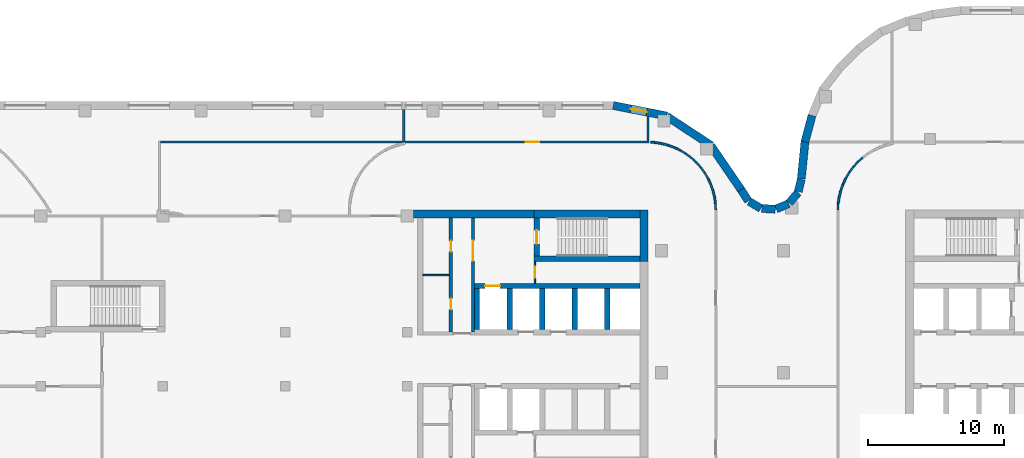
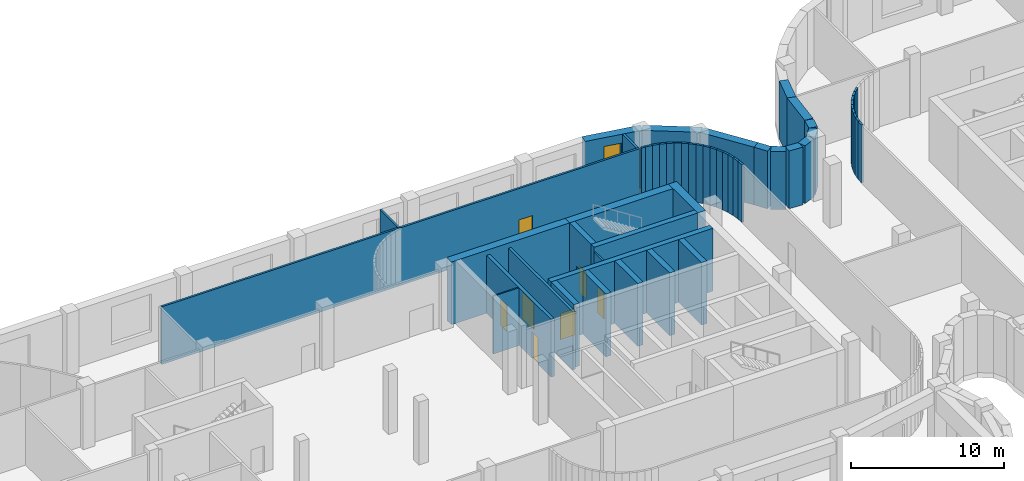
# One storey, part 18 of 25: 54 walls, 7 doors, 1 window, 8 openings.
"""IFC4 building model written with IfcOpenShell, lengths in metres."""

from ifc_helpers import new_model, si_unit, direction, frame, frame_2d, origin, place, context, subcontext, project, spatial, rectangle, extrude, material, layer, layer_set, type_object, element, fill, save


model = new_model("IFC4")

# Units and contexts
model_context = context("Model", 3, precision=1e-05, world=origin(), true_north=direction((0.0, 1.0)))
body_context = subcontext(model_context, "Body", "Model", "MODEL_VIEW")
ifc_project = project(units=[si_unit("LENGTHUNIT", "METRE"), si_unit("AREAUNIT", "SQUARE_METRE"), si_unit("VOLUMEUNIT", "CUBIC_METRE"), si_unit("PLANEANGLEUNIT", "RADIAN"), si_unit("MASSUNIT", "GRAM", prefix="KILO")], contexts=[model_context])

# Site, building, storey
site_placement = place(None, origin())
site = spatial("IfcSite", under=ifc_project, at=site_placement, CompositionType="ELEMENT")
building_placement = place(site_placement, origin())
building = spatial("IfcBuilding", under=site, at=building_placement, Name="Skarvind Civic Tower", CompositionType="ELEMENT")
storey_placement = place(building_placement, frame((0.0, 0.0, 7.5)))
storey = spatial("IfcBuildingStorey", under=building, at=storey_placement, Name="L01", CompositionType="ELEMENT", Elevation=7.5)

# Wall, opening, door
ifc_material_1 = material(Name="Fire-rated masonry partition", Category="masonry")
ifc_layer_1 = layer(ifc_material_1, 0.199951171875)
ifc_layer_set_1 = layer_set([ifc_layer_1], Name="Core enclosure wall 200")
wall_type_1 = type_object("IfcWallType", Name="Core enclosure wall 200", PredefinedType="PARTITIONING", material=ifc_layer_set_1)
wall_1_placement = place(storey_placement, frame((95.10009765625, 130.0, 0.0), z_axis=(0.0, 0.0, 1.0), x_axis=(0.0, 1.0, 0.0)))
wall_1 = element("IfcWall", 1, at=wall_1_placement, inside=storey, type_object=wall_type_1, Name="Core wall C1", PredefinedType="PARTITIONING", context=body_context, shape_type="SweptSolid", body=[
    extrude(rectangle(XDim=8.39990234375, YDim=0.199951171875, at=frame_2d((4.199951171875, 0.0))), origin(), (0.0, 0.0, 1.0), 4.60009765625),
])
opening_1_placement = place(wall_1_placement, frame((5.25, 0.0, 0.0)))
opening_1 = element("IfcOpeningElement", 2, at=opening_1_placement, cuts=wall_1, Name="Opening D-L01-C1-12", PredefinedType="OPENING", context=body_context, shape_type="SweptSolid", body=[
    extrude(rectangle(XDim=1.5, YDim=2.10009765625, at=frame_2d((0.75, 1.050048828125))), frame((0.0, 0.10986328125, 0.0), z_axis=(0.0, -1.0, 0.0), x_axis=(1.0, 0.0, 0.0)), (0.0, 0.0, 1.0), 0.219970703125),
])
ifc_material_2 = material(Name="Fire-rated steel door", Category="steel")
door_type_1 = type_object("IfcDoorType", Name="Fire door 1500", OperationType="NOTDEFINED", PredefinedType="DOOR", material=ifc_material_2)
door_1_placement = place(opening_1_placement, origin())
door_1 = element("IfcDoor", 3, at=door_1_placement, inside=storey, type_object=door_type_1, Name="Fire door", OperationType="DOUBLE_DOOR_SINGLE_SWING", OverallHeight=2.10009765625, OverallWidth=1.5, PredefinedType="DOOR", context=body_context, shape_type="SweptSolid", body=[
    extrude(rectangle(XDim=1.5, YDim=2.10009765625, at=frame_2d((0.75, 1.050048828125))), frame((0.0, 0.02490234375, 0.0), z_axis=(0.0, -1.0, 0.0), x_axis=(1.0, 0.0, 0.0)), (0.0, 0.0, 1.0), 0.050048828125),
])
fill(opening_1, door_1)

# Walls
ifc_material_3 = material(Name="Fire-rated plasterboard partition")
ifc_layer_2 = layer(ifc_material_3, 0.10009765625)
ifc_layer_set_2 = layer_set([ifc_layer_2], Name="Core partition wall 100")
wall_type_2 = type_object("IfcWallType", Name="Core partition wall 100", PredefinedType="PARTITIONING", material=ifc_layer_set_2)
wall_2_placement = place(storey_placement, frame((91.39990234375, 134.199951171875, 0.0), z_axis=(0.0, 0.0, 1.0), x_axis=(1.0, 0.0, 0.0)))
element("IfcWall", 4, at=wall_2_placement, inside=storey, type_object=wall_type_2, Name="Core wall C1", PredefinedType="PARTITIONING", context=body_context, shape_type="SweptSolid", body=[
    extrude(rectangle(XDim=1.9501953125, YDim=0.10009765625, at=frame_2d((0.97509765625, 0.0))), origin(), (0.0, 0.0, 1.0), 4.60009765625),
])
ifc_material_4 = material(Name="Concrete C80", Category="concrete")
ifc_layer_3 = layer(ifc_material_4, 0.39990234375)
ifc_layer_set_3 = layer_set([ifc_layer_3], Name="Core wall 400 C80")
wall_type_3 = type_object("IfcWallType", Name="Core wall 400 C80", PredefinedType="SHEAR", material=ifc_layer_set_3)
wall_3_placement = place(storey_placement, frame((107.39990234375, 135.39990234375, 0.0), z_axis=(0.0, 0.0, 1.0), x_axis=(-1.0, 0.0, 0.0)))
element("IfcWall", 5, at=wall_3_placement, inside=storey, type_object=wall_type_3, Name="Core wall C1 south stair inner L01", PredefinedType="SHEAR", context=body_context, shape_type="SweptSolid", body=[
    extrude(rectangle(XDim=7.7998046875, YDim=0.39990234375, at=frame_2d((3.89990234375, 0.0))), origin(), (0.0, 0.0, 1.0), 5.0),
])

# Wall, opening, door
wall_4_placement = place(storey_placement, frame((99.800048828125, 138.39990234375, 0.0), z_axis=(0.0, 0.0, 1.0), x_axis=(0.0, -1.0, 0.0)))
wall_4 = element("IfcWall", 6, at=wall_4_placement, inside=storey, type_object=wall_type_3, Name="Core wall C1 south stair end L01", PredefinedType="SHEAR", context=body_context, shape_type="SweptSolid", body=[
    extrude(rectangle(XDim=2.7998046875, YDim=0.39990234375, at=frame_2d((1.39990234375, 0.0))), origin(), (0.0, 0.0, 1.0), 5.0),
])
opening_2_placement = place(wall_4_placement, frame((0.89990234375, 0.0, 0.0)))
opening_2 = element("IfcOpeningElement", 7, at=opening_2_placement, cuts=wall_4, Name="Opening D-L01-C1-13", PredefinedType="OPENING", context=body_context, shape_type="SweptSolid", body=[
    extrude(rectangle(XDim=1.0, YDim=2.10009765625, at=frame_2d((0.5, 1.050048828125))), frame((0.0, 0.2099609375, 0.0), z_axis=(0.0, -1.0, 0.0), x_axis=(1.0, 0.0, 0.0)), (0.0, 0.0, 1.0), 0.419921875),
])
door_type_2 = type_object("IfcDoorType", Name="Fire door 1000", OperationType="NOTDEFINED", PredefinedType="DOOR", material=ifc_material_2)
door_2_placement = place(opening_2_placement, origin())
door_2 = element("IfcDoor", 8, at=door_2_placement, inside=storey, type_object=door_type_2, Name="Fire door", OperationType="SINGLE_SWING_RIGHT", OverallHeight=2.10009765625, OverallWidth=1.0, PredefinedType="DOOR", context=body_context, shape_type="SweptSolid", body=[
    extrude(rectangle(XDim=1.0, YDim=2.10009765625, at=frame_2d((0.5, 1.050048828125))), frame((0.0, 0.02490234375, 0.0), z_axis=(0.0, -1.0, 0.0), x_axis=(1.0, 0.0, 0.0)), (0.0, 0.0, 1.0), 0.050048828125),
])
fill(opening_2, door_2)

wall_5_placement = place(storey_placement, frame((107.39990234375, 133.39990234375, 0.0), z_axis=(0.0, 0.0, 1.0), x_axis=(-1.0, 0.0, 0.0)))
wall_5 = element("IfcWall", 9, at=wall_5_placement, inside=storey, type_object=wall_type_3, Name="Core wall C1 south lift row back L01", PredefinedType="SHEAR", context=body_context, shape_type="SweptSolid", body=[
    extrude(rectangle(XDim=12.199951171875, YDim=0.39990234375, at=frame_2d((6.10009765625, 0.0))), origin(), (0.0, 0.0, 1.0), 5.0),
])
opening_3_placement = place(wall_5_placement, frame((10.300048828125, 0.0, 0.0)))
opening_3 = element("IfcOpeningElement", 10, at=opening_3_placement, cuts=wall_5, Name="Opening LD03110", PredefinedType="OPENING", context=body_context, shape_type="SweptSolid", body=[
    extrude(rectangle(XDim=1.10009765625, YDim=2.10009765625, at=frame_2d((0.550048828125, 1.050048828125))), frame((0.0, 0.2099609375, 0.0), z_axis=(0.0, -1.0, 0.0), x_axis=(1.0, 0.0, 0.0)), (0.0, 0.0, 1.0), 0.419921875),
])
ifc_material_5 = material(Name="Stainless steel landing door", Category="steel")
door_type_3 = type_object("IfcDoorType", Name="Lift landing door 1100", OperationType="DOUBLE_DOOR_SLIDING", PredefinedType="DOOR", material=ifc_material_5)
door_3_placement = place(opening_3_placement, origin())
door_3 = element("IfcDoor", 11, at=door_3_placement, inside=storey, type_object=door_type_3, Name="Lift landing door", OperationType="DOUBLE_DOOR_SLIDING", OverallHeight=2.10009765625, OverallWidth=1.10009765625, PredefinedType="DOOR", context=body_context, shape_type="SweptSolid", body=[
    extrude(rectangle(XDim=1.10009765625, YDim=2.10009765625, at=frame_2d((0.550048828125, 1.050048828125))), frame((0.0, 0.02490234375, 0.0), z_axis=(0.0, -1.0, 0.0), x_axis=(1.0, 0.0, 0.0)), (0.0, 0.0, 1.0), 0.050048828125),
])
fill(opening_3, door_3)

# Walls
for number, where, z_axis, x_axis, name in (
    (12, (105.0, 133.199951171875, 0.0), (0.0, 0.0, 1.0), (0.0, -1.0, 0.0), "Core wall C1 south lift row division 1 L01"),
    (13, (102.60009765625, 133.199951171875, 0.0), (0.0, 0.0, 1.0), (0.0, -1.0, 0.0), "Core wall C1 south lift row division 2 L01"),
    (14, (100.199951171875, 133.199951171875, 0.0), (0.0, 0.0, 1.0), (0.0, -1.0, 0.0), "Core wall C1 south lift row division 3 L01"),
    (15, (97.800048828125, 133.199951171875, 0.0), (0.0, 0.0, 1.0), (0.0, -1.0, 0.0), "Core wall C1 south lift row division 4 L01"),
    (16, (95.39990234375, 133.199951171875, 0.0), (0.0, 0.0, 1.0), (0.0, -1.0, 0.0), "Core wall C1 south lift row division 5 L01"),
):
    element("IfcWall", number, at=place(storey_placement, frame(where, z_axis=z_axis, x_axis=x_axis)), inside=storey, type_object=wall_type_3, Name=name, PredefinedType="SHEAR", context=body_context, shape_type="SweptSolid", body=[
        extrude(rectangle(XDim=3.0, YDim=0.39990234375, at=frame_2d((1.5, 0.0))), origin(), (0.0, 0.0, 1.0), 5.0),
    ])
ifc_layer_4 = layer(ifc_material_4, 0.60009765625)
ifc_layer_set_4 = layer_set([ifc_layer_4], Name="Core wall 600 C80")
wall_type_4 = type_object("IfcWallType", Name="Core wall 600 C80", PredefinedType="SHEAR", material=ifc_layer_set_4)
wall_6_placement = place(storey_placement, frame((107.699951171875, 139.0, 0.0), z_axis=(0.0, 0.0, 1.0), x_axis=(0.0, -1.0, 0.0)))
element("IfcWall", 17, at=wall_6_placement, inside=storey, type_object=wall_type_4, Name="Core wall C1 tip at the south stair L01", PredefinedType="SHEAR", context=body_context, shape_type="SweptSolid", body=[
    extrude(rectangle(XDim=3.800048828125, YDim=0.60009765625, at=frame_2d((1.89990234375, 0.0))), origin(), (0.0, 0.0, 1.0), 5.0),
])
wall_7_placement = place(storey_placement, frame((107.39990234375, 138.699951171875, 0.0), z_axis=(0.0, 0.0, 1.0), x_axis=(-1.0, 0.0, 0.0)))
element("IfcWall", 18, at=wall_7_placement, inside=storey, type_object=wall_type_4, Name="Core wall C1 south side at the stair L01", PredefinedType="SHEAR", context=body_context, shape_type="SweptSolid", body=[
    extrude(rectangle(XDim=7.7998046875, YDim=0.60009765625, at=frame_2d((3.89990234375, 0.0))), origin(), (0.0, 0.0, 1.0), 5.0),
])
wall_8_placement = place(storey_placement, frame((99.60009765625, 138.699951171875, 0.0), z_axis=(0.0, 0.0, 1.0), x_axis=(-1.0, 0.0, 0.0)))
element("IfcWall", 19, at=wall_8_placement, inside=storey, type_object=wall_type_4, Name="Core wall C1 south side L01", PredefinedType="SHEAR", context=body_context, shape_type="SweptSolid", body=[
    extrude(rectangle(XDim=8.900146484375, YDim=0.60009765625, at=frame_2d((4.4501953125, 0.0))), origin(), (0.0, 0.0, 1.0), 5.0),
])

# Wall, opening, door
ifc_material_6 = material(Name="Plasterboard partition on steel studs", Category="steel")
ifc_layer_5 = layer(ifc_material_6, 0.14990234375)
ifc_layer_set_5 = layer_set([ifc_layer_5], Name="PARTITION 150")
wall_type_5 = type_object("IfcWallType", Name="PARTITION 150", PredefinedType="PARTITIONING", material=ifc_layer_set_5)
wall_9_placement = place(storey_placement, frame((72.074951171875, 144.0, 0.0), z_axis=(0.0, 0.0, 1.0), x_axis=(1.0, 0.0, 0.0)))
wall_9 = element("IfcWall", 20, at=wall_9_placement, inside=storey, type_object=wall_type_5, Name="Podium partition L01 123", PredefinedType="PARTITIONING", context=body_context, shape_type="SweptSolid", body=[
    extrude(rectangle(XDim=36.0, YDim=0.14990234375, at=frame_2d((18.0, 0.0))), origin(), (0.0, 0.0, 1.0), 4.60009765625),
])
opening_4_placement = place(wall_9_placement, frame((26.925048828125, 0.0, 0.0)))
opening_4 = element("IfcOpeningElement", 21, at=opening_4_placement, cuts=wall_9, Name="Opening L01-D225", PredefinedType="OPENING", context=body_context, shape_type="SweptSolid", body=[
    extrude(rectangle(XDim=1.0, YDim=2.10009765625, at=frame_2d((0.5, 1.050048828125))), frame((0.0, 0.0849609375, 0.0), z_axis=(0.0, -1.0, 0.0), x_axis=(1.0, 0.0, 0.0)), (0.0, 0.0, 1.0), 0.169921875),
])
ifc_material_7 = material(Name="Timber veneer door leaf", Category="wood")
door_type_4 = type_object("IfcDoorType", Name="DOOR 1000X2100 TIMBER", OperationType="NOTDEFINED", PredefinedType="DOOR", material=ifc_material_7)
door_4_placement = place(opening_4_placement, origin())
door_4 = element("IfcDoor", 22, at=door_4_placement, inside=storey, type_object=door_type_4, Name="DOOR DOOR", OperationType="SINGLE_SWING_LEFT", OverallHeight=2.10009765625, OverallWidth=1.0, PredefinedType="DOOR", context=body_context, shape_type="SweptSolid", body=[
    extrude(rectangle(XDim=1.0, YDim=2.10009765625, at=frame_2d((0.5, 1.050048828125))), frame((0.0, 0.02490234375, 0.0), z_axis=(0.0, -1.0, 0.0), x_axis=(1.0, 0.0, 0.0)), (0.0, 0.0, 1.0), 0.050048828125),
])
fill(opening_4, door_4)

# Walls
wall_10_placement = place(storey_placement, frame((90.0, 143.9951171875, 0.0), z_axis=(0.0, 0.0, 1.0), x_axis=(0.0, 1.0, 0.0)))
element("IfcWall", 23, at=wall_10_placement, inside=storey, type_object=wall_type_5, Name="Podium partition L01 159", PredefinedType="PARTITIONING", context=body_context, shape_type="SweptSolid", body=[
    extrude(rectangle(XDim=2.40478515625, YDim=0.14990234375, at=frame_2d((1.202392578125, 0.0))), origin(), (0.0, 0.0, 1.0), 4.60009765625),
])
wall_11_placement = place(storey_placement, frame((108.0, 144.074951171875, 0.0), z_axis=(0.0, 0.0, 1.0), x_axis=(0.0, 1.0, 0.0)))
element("IfcWall", 24, at=wall_11_placement, inside=storey, type_object=wall_type_5, Name="Podium partition L01 165", PredefinedType="PARTITIONING", context=body_context, shape_type="SweptSolid", body=[
    extrude(rectangle(XDim=1.822998046875, YDim=0.14990234375, at=frame_2d((0.91162109375, 0.0))), origin(), (0.0, 0.0, 1.0), 4.60009765625),
])
wall_12_placement = place(storey_placement, frame((108.214111328125, 143.989990234375, 0.0), z_axis=(0.0, 0.0, 1.0), x_axis=(0.99876534507, -0.049676810357, 0.0)))
element("IfcWall", 25, at=wall_12_placement, inside=storey, type_object=wall_type_5, Name="Podium partition L01 166", PredefinedType="PARTITIONING", context=body_context, shape_type="SweptSolid", body=[
    extrude(rectangle(XDim=0.280029296875, YDim=0.14990234375, at=frame_2d((0.14013671875, 0.0))), origin(), (0.0, 0.0, 1.0), 4.60009765625),
])
wall_13_placement = place(storey_placement, frame((108.486083984375, 143.97705078125, 0.0), z_axis=(0.0, 0.0, 1.0), x_axis=(0.988925572052, -0.148412307247, 0.0)))
element("IfcWall", 26, at=wall_13_placement, inside=storey, type_object=wall_type_5, Name="Podium partition L01 168", PredefinedType="PARTITIONING", context=body_context, shape_type="SweptSolid", body=[
    extrude(rectangle(XDim=0.49853515625, YDim=0.14990234375, at=frame_2d((0.249267578125, 0.0))), origin(), (0.0, 0.0, 1.0), 4.60009765625),
])
wall_14_placement = place(storey_placement, frame((108.970947265625, 143.905029296875, 0.0), z_axis=(0.0, 0.0, 1.0), x_axis=(0.970113715952, -0.242650732785, 0.0)))
element("IfcWall", 27, at=wall_14_placement, inside=storey, type_object=wall_type_5, Name="Podium partition L01 170", PredefinedType="PARTITIONING", context=body_context, shape_type="SweptSolid", body=[
    extrude(rectangle(XDim=0.4990234375, YDim=0.14990234375, at=frame_2d((0.24951171875, 0.0))), origin(), (0.0, 0.0, 1.0), 4.60009765625),
])
for number, where, z_axis, x_axis, name in (
    (28, (109.447021484375, 143.785888671875, 0.0), (0.0, 0.0, 1.0), (0.941442168887, -0.3371744988, 0.0), "Podium partition L01 172"),
    (29, (109.909912109375, 143.62109375, 0.0), (0.0, 0.0, 1.0), (0.903827641978, -0.427896709028, 0.0), "Podium partition L01 174"),
):
    element("IfcWall", number, at=place(storey_placement, frame(where, z_axis=z_axis, x_axis=x_axis)), inside=storey, type_object=wall_type_5, Name=name, PredefinedType="PARTITIONING", context=body_context, shape_type="SweptSolid", body=[
        extrude(rectangle(XDim=0.498046875, YDim=0.14990234375, at=frame_2d((0.2490234375, 0.0))), origin(), (0.0, 0.0, 1.0), 4.60009765625),
    ])
wall_15_placement = place(storey_placement, frame((110.35400390625, 143.412109375, 0.0), z_axis=(0.0, 0.0, 1.0), x_axis=(0.85671397893, -0.515791778052, 0.0)))
element("IfcWall", 30, at=wall_15_placement, inside=storey, type_object=wall_type_5, Name="Podium partition L01 176", PredefinedType="PARTITIONING", context=body_context, shape_type="SweptSolid", body=[
    extrude(rectangle(XDim=0.49853515625, YDim=0.14990234375, at=frame_2d((0.249267578125, 0.0))), origin(), (0.0, 0.0, 1.0), 4.60009765625),
])
wall_16_placement = place(storey_placement, frame((110.77490234375, 143.158935546875, 0.0), z_axis=(0.0, 0.0, 1.0), x_axis=(0.80404358372, -0.594570362092, 0.0)))
element("IfcWall", 31, at=wall_16_placement, inside=storey, type_object=wall_type_5, Name="Podium partition L01 178", PredefinedType="PARTITIONING", context=body_context, shape_type="SweptSolid", body=[
    extrude(rectangle(XDim=0.49755859375, YDim=0.14990234375, at=frame_2d((0.248779296875, 0.0))), origin(), (0.0, 0.0, 1.0), 4.60009765625),
])
for number, where, z_axis, x_axis, name in (
    (32, (111.1689453125, 142.866943359375, 0.0), (0.0, 0.0, 1.0), (0.742416880587, -0.66993818776, 0.0), "Podium partition L01 180"),
    (33, (111.532958984375, 142.5390625, 0.0), (0.0, 0.0, 1.0), (0.66993818776, -0.742416880587, 0.0), "Podium partition L01 182"),
):
    element("IfcWall", number, at=place(storey_placement, frame(where, z_axis=z_axis, x_axis=x_axis)), inside=storey, type_object=wall_type_5, Name=name, PredefinedType="PARTITIONING", context=body_context, shape_type="SweptSolid", body=[
        extrude(rectangle(XDim=0.49853515625, YDim=0.14990234375, at=frame_2d((0.249267578125, 0.0))), origin(), (0.0, 0.0, 1.0), 4.60009765625),
    ])
wall_17_placement = place(storey_placement, frame((111.863037109375, 142.175048828125, 0.0), z_axis=(0.0, 0.0, 1.0), x_axis=(0.594570362092, -0.80404358372, 0.0)))
element("IfcWall", 34, at=wall_17_placement, inside=storey, type_object=wall_type_5, Name="Podium partition L01 184", PredefinedType="PARTITIONING", context=body_context, shape_type="SweptSolid", body=[
    extrude(rectangle(XDim=0.49755859375, YDim=0.14990234375, at=frame_2d((0.248779296875, 0.0))), origin(), (0.0, 0.0, 1.0), 4.60009765625),
])
wall_18_placement = place(storey_placement, frame((112.155029296875, 141.781005859375, 0.0), z_axis=(0.0, 0.0, 1.0), x_axis=(0.515791778052, -0.85671397893, 0.0)))
element("IfcWall", 35, at=wall_18_placement, inside=storey, type_object=wall_type_5, Name="Podium partition L01 186", PredefinedType="PARTITIONING", context=body_context, shape_type="SweptSolid", body=[
    extrude(rectangle(XDim=0.49853515625, YDim=0.14990234375, at=frame_2d((0.249267578125, 0.0))), origin(), (0.0, 0.0, 1.0), 4.60009765625),
])
for number, where, z_axis, x_axis, name in (
    (36, (112.407958984375, 141.360107421875, 0.0), (0.0, 0.0, 1.0), (0.427896709028, -0.903827641978, 0.0), "Podium partition L01 188"),
    (37, (112.617919921875, 140.916015625, 0.0), (0.0, 0.0, 1.0), (0.3371744988, -0.941442168887, 0.0), "Podium partition L01 190"),
):
    element("IfcWall", number, at=place(storey_placement, frame(where, z_axis=z_axis, x_axis=x_axis)), inside=storey, type_object=wall_type_5, Name=name, PredefinedType="PARTITIONING", context=body_context, shape_type="SweptSolid", body=[
        extrude(rectangle(XDim=0.498046875, YDim=0.14990234375, at=frame_2d((0.2490234375, 0.0))), origin(), (0.0, 0.0, 1.0), 4.60009765625),
    ])
wall_19_placement = place(storey_placement, frame((112.783935546875, 140.455078125, 0.0), z_axis=(0.0, 0.0, 1.0), x_axis=(0.242650732785, -0.970113715952, 0.0)))
element("IfcWall", 38, at=wall_19_placement, inside=storey, type_object=wall_type_5, Name="Podium partition L01 192", PredefinedType="PARTITIONING", context=body_context, shape_type="SweptSolid", body=[
    extrude(rectangle(XDim=0.4990234375, YDim=0.14990234375, at=frame_2d((0.24951171875, 0.0))), origin(), (0.0, 0.0, 1.0), 4.60009765625),
])
wall_20_placement = place(storey_placement, frame((112.903076171875, 139.97900390625, 0.0), z_axis=(0.0, 0.0, 1.0), x_axis=(0.148412307247, -0.988925572052, 0.0)))
element("IfcWall", 39, at=wall_20_placement, inside=storey, type_object=wall_type_5, Name="Podium partition L01 194", PredefinedType="PARTITIONING", context=body_context, shape_type="SweptSolid", body=[
    extrude(rectangle(XDim=0.49853515625, YDim=0.14990234375, at=frame_2d((0.249267578125, 0.0))), origin(), (0.0, 0.0, 1.0), 4.60009765625),
])
for number, where, z_axis, x_axis, name in (
    (40, (112.97607421875, 139.493896484375, 0.0), (0.0, 0.0, 1.0), (0.048196018647, -0.998837896651, 0.0), "Podium partition L01 196"),
    (41, (122.0, 138.998046875, 0.0), (0.0, 0.0, 1.0), (0.048196018647, 0.998837896651, 0.0), "Podium partition L01 203"),
):
    element("IfcWall", number, at=place(storey_placement, frame(where, z_axis=z_axis, x_axis=x_axis)), inside=storey, type_object=wall_type_5, Name=name, PredefinedType="PARTITIONING", context=body_context, shape_type="SweptSolid", body=[
        extrude(rectangle(XDim=0.496337890625, YDim=0.14990234375, at=frame_2d((0.248046875, 0.0))), origin(), (0.0, 0.0, 1.0), 4.60009765625),
    ])
wall_21_placement = place(storey_placement, frame((122.02294921875, 139.486083984375, 0.0), z_axis=(0.0, 0.0, 1.0), x_axis=(0.148412307247, 0.988925572052, 0.0)))
element("IfcWall", 42, at=wall_21_placement, inside=storey, type_object=wall_type_5, Name="Podium partition L01 205", PredefinedType="PARTITIONING", context=body_context, shape_type="SweptSolid", body=[
    extrude(rectangle(XDim=0.49853515625, YDim=0.14990234375, at=frame_2d((0.249267578125, 0.0))), origin(), (0.0, 0.0, 1.0), 4.60009765625),
])
wall_22_placement = place(storey_placement, frame((122.094970703125, 139.970947265625, 0.0), z_axis=(0.0, 0.0, 1.0), x_axis=(0.242650732785, 0.970113715952, 0.0)))
element("IfcWall", 43, at=wall_22_placement, inside=storey, type_object=wall_type_5, Name="Podium partition L01 207", PredefinedType="PARTITIONING", context=body_context, shape_type="SweptSolid", body=[
    extrude(rectangle(XDim=0.4990234375, YDim=0.14990234375, at=frame_2d((0.24951171875, 0.0))), origin(), (0.0, 0.0, 1.0), 4.60009765625),
])
for number, where, z_axis, x_axis, name in (
    (44, (122.214111328125, 140.447021484375, 0.0), (0.0, 0.0, 1.0), (0.3371744988, 0.941442168887, 0.0), "Podium partition L01 209"),
    (45, (122.37890625, 140.909912109375, 0.0), (0.0, 0.0, 1.0), (0.427896709028, 0.903827641978, 0.0), "Podium partition L01 211"),
):
    element("IfcWall", number, at=place(storey_placement, frame(where, z_axis=z_axis, x_axis=x_axis)), inside=storey, type_object=wall_type_5, Name=name, PredefinedType="PARTITIONING", context=body_context, shape_type="SweptSolid", body=[
        extrude(rectangle(XDim=0.498046875, YDim=0.14990234375, at=frame_2d((0.2490234375, 0.0))), origin(), (0.0, 0.0, 1.0), 4.60009765625),
    ])
wall_23_placement = place(storey_placement, frame((122.587890625, 141.35400390625, 0.0), z_axis=(0.0, 0.0, 1.0), x_axis=(0.515791778052, 0.85671397893, 0.0)))
element("IfcWall", 46, at=wall_23_placement, inside=storey, type_object=wall_type_5, Name="Podium partition L01 213", PredefinedType="PARTITIONING", context=body_context, shape_type="SweptSolid", body=[
    extrude(rectangle(XDim=0.49853515625, YDim=0.14990234375, at=frame_2d((0.249267578125, 0.0))), origin(), (0.0, 0.0, 1.0), 4.60009765625),
])
wall_24_placement = place(storey_placement, frame((122.841064453125, 141.77490234375, 0.0), z_axis=(0.0, 0.0, 1.0), x_axis=(0.594570362092, 0.80404358372, 0.0)))
element("IfcWall", 47, at=wall_24_placement, inside=storey, type_object=wall_type_5, Name="Podium partition L01 215", PredefinedType="PARTITIONING", context=body_context, shape_type="SweptSolid", body=[
    extrude(rectangle(XDim=0.49755859375, YDim=0.14990234375, at=frame_2d((0.248779296875, 0.0))), origin(), (0.0, 0.0, 1.0), 4.60009765625),
])
for number, where, z_axis, x_axis, name in (
    (48, (123.133056640625, 142.1689453125, 0.0), (0.0, 0.0, 1.0), (0.66993818776, 0.742416880587, 0.0), "Podium partition L01 217"),
    (49, (123.4609375, 142.532958984375, 0.0), (0.0, 0.0, 1.0), (0.742416880587, 0.66993818776, 0.0), "Podium partition L01 219"),
):
    element("IfcWall", number, at=place(storey_placement, frame(where, z_axis=z_axis, x_axis=x_axis)), inside=storey, type_object=wall_type_5, Name=name, PredefinedType="PARTITIONING", context=body_context, shape_type="SweptSolid", body=[
        extrude(rectangle(XDim=0.49853515625, YDim=0.14990234375, at=frame_2d((0.249267578125, 0.0))), origin(), (0.0, 0.0, 1.0), 4.60009765625),
    ])

# Wall, opening, door
ifc_layer_6 = layer(ifc_material_1, 0.125)
ifc_layer_set_6 = layer_set([ifc_layer_6], Name="Riser wall 125")
wall_type_6 = type_object("IfcWallType", Name="Riser wall 125", PredefinedType="PARTITIONING", material=ifc_layer_set_6)
wall_25_placement = place(storey_placement, frame((99.66259765625, 133.60009765625, 0.0), z_axis=(0.0, 0.0, 1.0), x_axis=(0.0, 1.0, 0.0)))
wall_25 = element("IfcWall", 50, at=wall_25_placement, inside=storey, type_object=wall_type_6, Name="Core wall C1", PredefinedType="PARTITIONING", context=body_context, shape_type="SweptSolid", body=[
    extrude(rectangle(XDim=1.599853515625, YDim=0.125, at=frame_2d((0.7998046875, 0.0))), origin(), (0.0, 0.0, 1.0), 4.60009765625),
])
opening_5_placement = place(wall_25_placement, frame((0.39990234375, 0.0, 0.0)))
opening_5 = element("IfcOpeningElement", 51, at=opening_5_placement, cuts=wall_25, Name="Opening D-L01-C1-14", PredefinedType="OPENING", context=body_context, shape_type="SweptSolid", body=[
    extrude(rectangle(XDim=0.800048828125, YDim=2.10009765625, at=frame_2d((0.39990234375, 1.050048828125))), frame((0.0, 0.072509765625, 0.0), z_axis=(0.0, -1.0, 0.0), x_axis=(1.0, 0.0, 0.0)), (0.0, 0.0, 1.0), 0.14501953125),
])
door_type_5 = type_object("IfcDoorType", Name="Core riser door 800", OperationType="NOTDEFINED", PredefinedType="DOOR", material=ifc_material_2)
door_5_placement = place(opening_5_placement, origin())
door_5 = element("IfcDoor", 52, at=door_5_placement, inside=storey, type_object=door_type_5, Name="Riser door", OperationType="SINGLE_SWING_LEFT", OverallHeight=2.10009765625, OverallWidth=0.800048828125, PredefinedType="DOOR", context=body_context, shape_type="SweptSolid", body=[
    extrude(rectangle(XDim=0.800048828125, YDim=2.10009765625, at=frame_2d((0.39990234375, 1.050048828125))), frame((0.0, 0.02490234375, 0.0), z_axis=(0.0, -1.0, 0.0), x_axis=(1.0, 0.0, 0.0)), (0.0, 0.0, 1.0), 0.050048828125),
])
fill(opening_5, door_5)

# Wall, openings, doors
ifc_layer_7 = layer(ifc_material_1, 0.25)
ifc_layer_set_7 = layer_set([ifc_layer_7], Name="Service block wall 250")
wall_type_7 = type_object("IfcWallType", Name="Service block wall 250", PredefinedType="PARTITIONING", material=ifc_layer_set_7)
wall_26_placement = place(storey_placement, frame((93.47509765625, 130.0, 0.0), z_axis=(0.0, 0.0, 1.0), x_axis=(0.0, 1.0, 0.0)))
wall_26 = element("IfcWall", 53, at=wall_26_placement, inside=storey, type_object=wall_type_7, Name="Core wall C1", PredefinedType="PARTITIONING", context=body_context, shape_type="SweptSolid", body=[
    extrude(rectangle(XDim=8.39990234375, YDim=0.25, at=frame_2d((4.199951171875, 0.0))), origin(), (0.0, 0.0, 1.0), 4.60009765625),
])
opening_6_placement = place(wall_26_placement, frame((1.675048828125, 0.0, 0.0)))
opening_6 = element("IfcOpeningElement", 54, at=opening_6_placement, cuts=wall_26, Name="Opening D-L01-C1-15", PredefinedType="OPENING", context=body_context, shape_type="SweptSolid", body=[
    extrude(rectangle(XDim=0.800048828125, YDim=2.10009765625, at=frame_2d((0.39990234375, 1.050048828125))), frame((0.0, 0.135009765625, 0.0), z_axis=(0.0, -1.0, 0.0), x_axis=(1.0, 0.0, 0.0)), (0.0, 0.0, 1.0), 0.27001953125),
])
opening_7_placement = place(wall_26_placement, frame((5.925048828125, 0.0, 0.0)))
opening_7 = element("IfcOpeningElement", 55, at=opening_7_placement, cuts=wall_26, Name="Opening D-L01-C1-16", PredefinedType="OPENING", context=body_context, shape_type="SweptSolid", body=[
    extrude(rectangle(XDim=0.800048828125, YDim=2.10009765625, at=frame_2d((0.39990234375, 1.050048828125))), frame((0.0, 0.135009765625, 0.0), z_axis=(0.0, -1.0, 0.0), x_axis=(1.0, 0.0, 0.0)), (0.0, 0.0, 1.0), 0.27001953125),
])
door_6_placement = place(opening_6_placement, origin())
door_6 = element("IfcDoor", 56, at=door_6_placement, inside=storey, type_object=door_type_5, Name="Riser door", OperationType="SINGLE_SWING_RIGHT", OverallHeight=2.10009765625, OverallWidth=0.800048828125, PredefinedType="DOOR", context=body_context, shape_type="SweptSolid", body=[
    extrude(rectangle(XDim=0.800048828125, YDim=2.10009765625, at=frame_2d((0.39990234375, 1.050048828125))), frame((0.0, 0.02490234375, 0.0), z_axis=(0.0, -1.0, 0.0), x_axis=(1.0, 0.0, 0.0)), (0.0, 0.0, 1.0), 0.050048828125),
])
fill(opening_6, door_6)
door_7_placement = place(opening_7_placement, origin())
door_7 = element("IfcDoor", 57, at=door_7_placement, inside=storey, type_object=door_type_5, Name="Riser door", OperationType="SINGLE_SWING_LEFT", OverallHeight=2.10009765625, OverallWidth=0.800048828125, PredefinedType="DOOR", context=body_context, shape_type="SweptSolid", body=[
    extrude(rectangle(XDim=0.800048828125, YDim=2.10009765625, at=frame_2d((0.39990234375, 1.050048828125))), frame((0.0, 0.02490234375, 0.0), z_axis=(0.0, -1.0, 0.0), x_axis=(1.0, 0.0, 0.0)), (0.0, 0.0, 1.0), 0.050048828125),
])
fill(opening_7, door_7)

# Walls
ifc_material_8 = material(Name="Limestone masonry cladding on insulated backing", Category="masonry")
ifc_layer_8 = layer(ifc_material_8, 0.60009765625)
ifc_layer_set_8 = layer_set([ifc_layer_8], Name="WX1 STONE FACADE WALL 600")
wall_type_8 = type_object("IfcWallType", Name="WX1 STONE FACADE WALL 600", PredefinedType="SOLIDWALL", material=ifc_layer_set_8)
wall_27_placement = place(storey_placement, frame((119.570556640625, 144.023681640625, 0.0), z_axis=(0.0, 0.0, 1.0), x_axis=(0.25888565912, 0.965907974655, 0.0)))
element("IfcWall", 58, at=wall_27_placement, inside=storey, type_object=wall_type_8, Name="STONE FACADE WALL", PredefinedType="SOLIDWALL", context=body_context, shape_type="SweptSolid", body=[
    extrude(rectangle(XDim=2.012451171875, YDim=0.60009765625, at=frame_2d((1.00634765625, 0.0))), origin(), (0.0, 0.0, 1.0), 4.60009765625),
])
wall_28_placement = place(storey_placement, frame((119.298583984375, 141.298095703125, 0.0), z_axis=(0.0, 0.0, 1.0), x_axis=(0.100121632527, 0.994975205068, 0.0)))
element("IfcWall", 59, at=wall_28_placement, inside=storey, type_object=wall_type_8, Name="STONE FACADE WALL", PredefinedType="SOLIDWALL", context=body_context, shape_type="SweptSolid", body=[
    extrude(rectangle(XDim=2.77734375, YDim=0.60009765625, at=frame_2d((1.388671875, 0.0))), origin(), (0.0, 0.0, 1.0), 4.60009765625),
])
wall_29_placement = place(storey_placement, frame((119.077392578125, 140.35791015625, 0.0), z_axis=(0.0, 0.0, 1.0), x_axis=(0.231477954295, 0.972840149601, 0.0)))
element("IfcWall", 60, at=wall_29_placement, inside=storey, type_object=wall_type_8, Name="STONE FACADE WALL", PredefinedType="SOLIDWALL", context=body_context, shape_type="SweptSolid", body=[
    extrude(rectangle(XDim=0.926025390625, YDim=0.60009765625, at=frame_2d((0.462890625, 0.0))), origin(), (0.0, 0.0, 1.0), 4.60009765625),
])
for number, where, z_axis, x_axis, name in (
    (61, (118.41748046875, 139.526123046875, 0.0), (0.0, 0.0, 1.0), (0.644897785416, 0.764268831215, 0.0), "STONE FACADE WALL"),
    (62, (117.45361328125, 139.080810546875, 0.0), (0.0, 0.0, 1.0), (0.920017434001, 0.391877431265, 0.0), "STONE FACADE WALL"),
    (63, (116.392578125, 139.1171875, 0.0), (0.0, 0.0, 1.0), (0.997920735219, -0.064453131965, 0.0), "STONE FACADE WALL"),
    (64, (115.46142578125, 139.62744140625, 0.0), (0.0, 0.0, 1.0), (0.861915314468, -0.507052256365, 0.0), "STONE FACADE WALL"),
):
    element("IfcWall", number, at=place(storey_placement, frame(where, z_axis=z_axis, x_axis=x_axis)), inside=storey, type_object=wall_type_8, Name=name, PredefinedType="SOLIDWALL", context=body_context, shape_type="SweptSolid", body=[
        extrude(rectangle(XDim=0.99609375, YDim=0.60009765625, at=frame_2d((0.498046875, 0.0))), origin(), (0.0, 0.0, 1.0), 4.60009765625),
    ])
wall_30_placement = place(storey_placement, frame((114.860107421875, 140.50244140625, 0.0), z_axis=(0.0, 0.0, 1.0), x_axis=(0.541339592117, -0.84080404733, 0.0)))
element("IfcWall", 65, at=wall_30_placement, inside=storey, type_object=wall_type_8, Name="STONE FACADE WALL", PredefinedType="SOLIDWALL", context=body_context, shape_type="SweptSolid", body=[
    extrude(rectangle(XDim=0.996337890625, YDim=0.60009765625, at=frame_2d((0.498046875, 0.0))), origin(), (0.0, 0.0, 1.0), 4.60009765625),
])
wall_31_placement = place(storey_placement, frame((112.660888671875, 143.7197265625, 0.0), z_axis=(0.0, 0.0, 1.0), x_axis=(0.564314082571, -0.825560183277, 0.0)))
element("IfcWall", 66, at=wall_31_placement, inside=storey, type_object=wall_type_8, Name="STONE FACADE WALL", PredefinedType="SOLIDWALL", context=body_context, shape_type="SweptSolid", body=[
    extrude(rectangle(XDim=3.9052734375, YDim=0.60009765625, at=frame_2d((1.95263671875, 0.0))), origin(), (0.0, 0.0, 1.0), 4.60009765625),
])
wall_32_placement = place(storey_placement, frame((109.4013671875, 145.899658203125, 0.0), z_axis=(0.0, 0.0, 1.0), x_axis=(0.835543958523, -0.549423601037, 0.0)))
element("IfcWall", 67, at=wall_32_placement, inside=storey, type_object=wall_type_8, Name="STONE FACADE WALL", PredefinedType="SOLIDWALL", context=body_context, shape_type="SweptSolid", body=[
    extrude(rectangle(XDim=3.905517578125, YDim=0.60009765625, at=frame_2d((1.95263671875, 0.0))), origin(), (0.0, 0.0, 1.0), 4.60009765625),
])

# Wall, opening, window
wall_33_placement = place(storey_placement, frame((105.4404296875, 146.70166015625, 0.0), z_axis=(0.0, 0.0, 1.0), x_axis=(0.981593603981, -0.190981665674, 0.0)))
wall_33 = element("IfcWall", 68, at=wall_33_placement, inside=storey, type_object=wall_type_8, Name="STONE FACADE WALL", PredefinedType="SOLIDWALL", context=body_context, shape_type="SweptSolid", body=[
    extrude(rectangle(XDim=4.025390625, YDim=0.60009765625, at=frame_2d((2.0126953125, 0.0))), origin(), (0.0, 0.0, 1.0), 4.60009765625),
])
opening_8_placement = place(wall_33_placement, frame((1.31591796875, 0.0, 0.89990234375)))
opening_8 = element("IfcOpeningElement", 69, at=opening_8_placement, cuts=wall_33, Name="Opening WN6", PredefinedType="OPENING", context=body_context, shape_type="SweptSolid", body=[
    extrude(rectangle(XDim=1.199951171875, YDim=3.0, at=frame_2d((0.60009765625, 1.5))), frame((0.0, 0.31005859375, 0.0), z_axis=(0.0, -1.0, 0.0), x_axis=(1.0, 0.0, 0.0)), (0.0, 0.0, 1.0), 0.6201171875),
])
ifc_material_9 = material(Name="Timber frame, double glazing, timber-lined reveal", Category="wood")
window_type = type_object("IfcWindowType", Name="WN6 NARROW PODIUM WINDOW 1200 x 3000", PartitioningType="SINGLE_PANEL", PredefinedType="WINDOW", material=ifc_material_9)
window_placement = place(opening_8_placement, origin())
window = element("IfcWindow", 70, at=window_placement, inside=storey, type_object=window_type, Name="WN6 WINDOW", OverallHeight=3.0, OverallWidth=1.199951171875, PartitioningType="SINGLE_PANEL", PredefinedType="WINDOW", context=body_context, shape_type="SweptSolid", body=[
    extrude(rectangle(XDim=1.199951171875, YDim=3.0, at=frame_2d((0.60009765625, 1.5))), frame((0.0, 0.030029296875, 0.0), z_axis=(0.0, -1.0, 0.0), x_axis=(1.0, 0.0, 0.0)), (0.0, 0.0, 1.0), 0.06005859375),
])
fill(opening_8, window)

save(model, "model.ifc")
